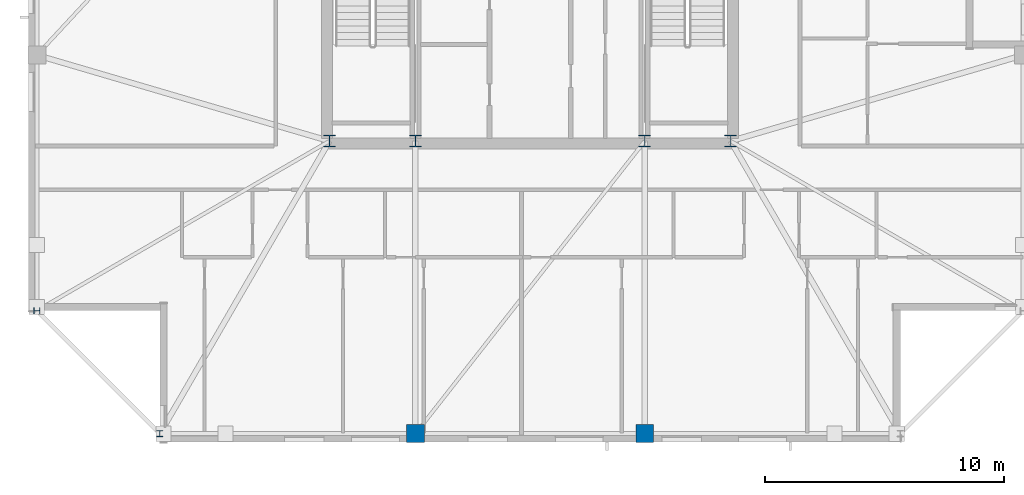
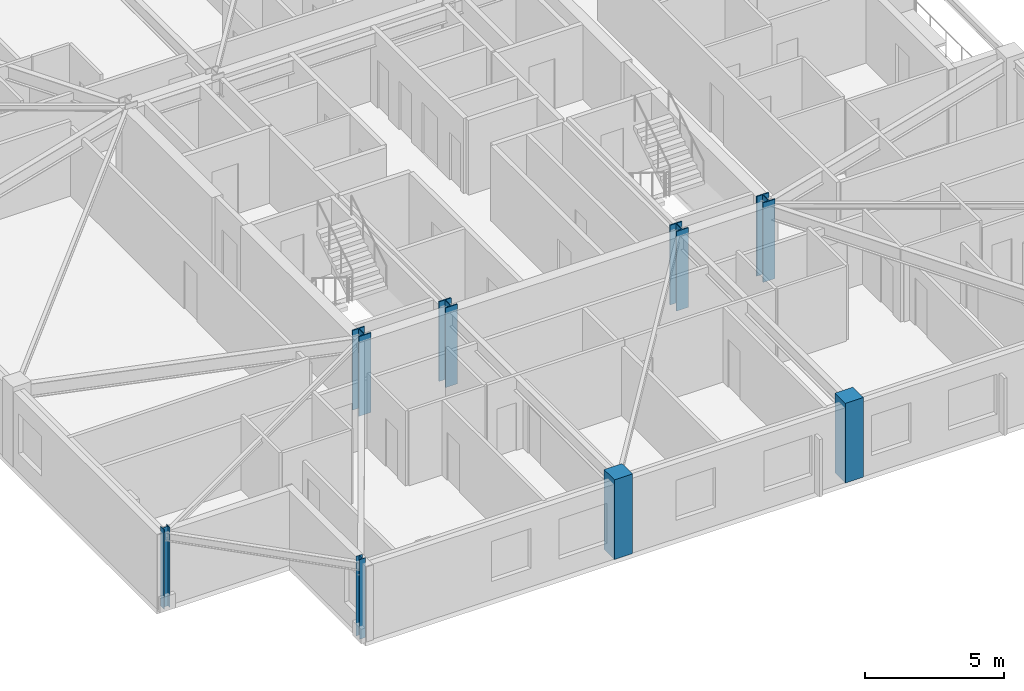
# One storey, part 1 of 14: 8 columns.
"""IFC4 building model written with IfcOpenShell, lengths in metres."""

import ifcopenshell
import ifcopenshell.guid

model = None  # the IFC model being written
_history = None  # IfcOwnerHistory: only IFC2X3 demands one
_inside = {}  # id of a spatial element -> (the spatial element, [elements in it])
_under = {}  # id of a project, library or spatial element -> (it, [spatial elements below it])
_declared = {}  # id of a project -> (the project, [libraries it declares])
_typed = {}  # id of a type object -> (the type object, [elements of that type])
_made_of = {}  # id of a material, layer set ... -> (it, [elements and type objects made of it])


def new_model(schema):
    """Start an empty IFC model of exactly this schema.

    Asked for "IFC4X3", IfcOpenShell would pick the latest addendum, in which some entities
    have other attributes; the version numbers below select the first issue.
    IFC2X3 requires an IfcOwnerHistory on every rooted entity: one is made here for all.
    """
    global model, _history
    if schema == "IFC4X3":
        model = ifcopenshell.file(schema_version=(4, 3, 0, 0))
    else:
        model = ifcopenshell.file(schema=schema)
    _inside.clear()
    _under.clear()
    _declared.clear()
    _typed.clear()
    _made_of.clear()
    _history = None
    if model.schema == "IFC2X3":
        org = make("IfcOrganization", Name="unknown")
        user = make(
            "IfcPersonAndOrganization",
            ThePerson=make("IfcPerson", FamilyName="unknown"),
            TheOrganization=org,
        )
        app = make(
            "IfcApplication",
            ApplicationDeveloper=org,
            Version="unknown",
            ApplicationFullName="unknown",
            ApplicationIdentifier="unknown",
        )
        _history = make(
            "IfcOwnerHistory",
            OwningUser=user,
            OwningApplication=app,
            ChangeAction="ADDED",
            CreationDate=0,
        )
    return model


def make(cls, **values):
    """One entity of the class cls with the attributes given. An attribute that is None is left unset."""
    return model.create_entity(
        cls, **{name: value for name, value in values.items() if value is not None}
    )


def rooted(cls, **values):
    """An entity with a GlobalId (a new one), such as an element, a storey or a relation."""
    return make(cls, GlobalId=ifcopenshell.guid.new(), OwnerHistory=_history, **values)


def si_unit(unit_type, name, prefix=None):
    """IfcSIUnit, for example si_unit("LENGTHUNIT", "METRE", prefix="MILLI")."""
    return make("IfcSIUnit", UnitType=unit_type, Prefix=prefix, Name=name)


def assignment(units):
    """IfcUnitAssignment: the units of a project."""
    return None if units is None else make("IfcUnitAssignment", Units=units)


def point(xyz):
    """IfcCartesianPoint."""
    return None if xyz is None else make("IfcCartesianPoint", Coordinates=xyz)


def direction(xyz):
    """IfcDirection."""
    return None if xyz is None else make("IfcDirection", DirectionRatios=xyz)


def frame(location, z_axis=None, x_axis=None):
    """IfcAxis2Placement3D, a coordinate frame: its origin and axes. An axis left out is left unset."""
    return make(
        "IfcAxis2Placement3D",
        Location=point(location),
        Axis=direction(z_axis),
        RefDirection=direction(x_axis),
    )


def frame_2d(location, x_axis=None):
    """IfcAxis2Placement2D, a coordinate frame in the plane: its origin and x axis."""
    return make(
        "IfcAxis2Placement2D", Location=point(location), RefDirection=direction(x_axis)
    )


def origin():
    """The frame at (0, 0, 0) with its axes left unset."""
    return frame((0.0, 0.0, 0.0))


def origin_2d():
    """The frame at (0, 0) in the plane with its x axis left unset."""
    return frame_2d((0.0, 0.0))


def place(relative_to, where):
    """IfcLocalPlacement: puts the frame where relative to a parent placement (None: the world)."""
    return make(
        "IfcLocalPlacement", PlacementRelTo=relative_to, RelativePlacement=where
    )


def context(
    kind, dimensions, precision=None, world=None, true_north=None, identifier=None
):
    """IfcGeometricRepresentationContext, for example the 3D "Model" context."""
    return make(
        "IfcGeometricRepresentationContext",
        ContextIdentifier=identifier,
        ContextType=kind,
        CoordinateSpaceDimension=dimensions,
        Precision=precision,
        WorldCoordinateSystem=world,
        TrueNorth=true_north,
    )


def subcontext(parent, identifier, kind, view, scale=None):
    """IfcGeometricRepresentationSubContext, for example "Body" below "Model"."""
    return make(
        "IfcGeometricRepresentationSubContext",
        ContextIdentifier=identifier,
        ContextType=kind,
        ParentContext=parent,
        TargetScale=scale,
        TargetView=view,
    )


def project(units=None, contexts=None):
    """IfcProject with its units and contexts."""
    return rooted(
        "IfcProject",
        Name="project",
        RepresentationContexts=contexts,
        UnitsInContext=assignment(units),
    )


def spatial(cls, under=None, at=None, **own):
    """A site, building, storey or space (cls), placed at a placement, below another one or the project."""
    s = rooted(cls, ObjectPlacement=at, **own)
    if under is not None:
        _under.setdefault(under.id(), (under, []))[1].append(s)
    return s


def profile(cls, at=None, kind="AREA", **sizes):
    """A parametric profile (cls). Its sizes go by their IFC names, for example OverallWidth=200.0."""
    return make(cls, ProfileType=kind, Position=at, **sizes)


def rectangle(**sizes):
    """IfcRectangleProfileDef."""
    return profile("IfcRectangleProfileDef", **sizes)


def i_section(**sizes):
    """IfcIShapeProfileDef."""
    return profile("IfcIShapeProfileDef", **sizes)


def extrude(swept, where, along, depth):
    """IfcExtrudedAreaSolid: the profile swept, set in the frame where, extruded along a direction by depth."""
    return make(
        "IfcExtrudedAreaSolid",
        SweptArea=swept,
        Position=where,
        ExtrudedDirection=direction(along),
        Depth=depth,
    )


def shape(context_of_items, identifier, shape_type, items):
    """IfcShapeRepresentation: the items that make up one representation, for example the "Body"."""
    return make(
        "IfcShapeRepresentation",
        ContextOfItems=context_of_items,
        RepresentationIdentifier=identifier,
        RepresentationType=shape_type,
        Items=items,
    )


def material(Name=None, Category=None):
    """IfcMaterial."""
    return make("IfcMaterial", Name=Name, Category=Category)


def material_profile(
    of_material, cross_section, Name=None, Category=None, Priority=None
):
    """IfcMaterialProfile: a cross section and its material."""
    return make(
        "IfcMaterialProfile",
        Name=Name,
        Material=of_material,
        Profile=cross_section,
        Priority=Priority,
        Category=Category,
    )


def profile_set(profiles, Name=None, composite=None):
    """IfcMaterialProfileSet."""
    return make(
        "IfcMaterialProfileSet",
        Name=Name,
        MaterialProfiles=profiles,
        CompositeProfile=composite,
    )


def made_of(thing, what):
    """Note that an element or type object is made of a material, layer set ...; save() writes the relation."""
    if what is not None:
        _made_of.setdefault(what.id(), (what, []))[1].append(thing)
    return thing


def type_object(cls, material=None, **own):
    """A type object (cls), such as IfcWallType, which elements share."""
    return made_of(rooted(cls, **own), material)


def element(
    cls,
    number,
    at=None,
    inside=None,
    cuts=None,
    type_object=None,
    material=None,
    context=None,
    identifier="Body",
    shape_type=None,
    held_by="IfcProductDefinitionShape",
    body=None,
    shapes=None,
    **own,
):
    """One element of the class cls, such as IfcWall. Its Tag is "e" and its number.

    at: its placement. inside: the storey or other place that contains it. cuts: it is an
    opening in that element (IfcRelVoidsElement). A single representation is given by context,
    identifier, shape_type and body (its items); several are given by shapes. held_by: the class
    of the entity that holds the representations. save() writes the other relations.
    """
    e = rooted(cls, Tag="e%d" % number, ObjectPlacement=at, **own)
    if body is not None:
        shapes = [shape(context, identifier, shape_type, body)]
    if shapes is not None:
        e.Representation = make(held_by, Representations=shapes)
    if inside is not None:
        _inside.setdefault(inside.id(), (inside, []))[1].append(e)
    if cuts is not None:
        rooted(
            "IfcRelVoidsElement", RelatingBuildingElement=cuts, RelatedOpeningElement=e
        )
    if type_object is not None:
        _typed.setdefault(type_object.id(), (type_object, []))[1].append(e)
    return made_of(e, material)


def aggregate(whole, parts):
    """IfcRelAggregates: a whole, such as a stair, and the parts it consists of."""
    return rooted("IfcRelAggregates", RelatingObject=whole, RelatedObjects=parts)


def save(model, path):
    """Write the relations noted so far, then the file.

    IfcRelAggregates (storeys below a building ...), IfcRelContainedInSpatialStructure (elements
    in a storey), IfcRelDefinesByType, IfcRelAssociatesMaterial and IfcRelDeclares: one each for
    every whole, place, type object, material and project.
    """
    for whole, parts in _under.values():
        aggregate(whole, parts)
    for where, things in _inside.values():
        rooted(
            "IfcRelContainedInSpatialStructure",
            RelatedElements=things,
            RelatingStructure=where,
        )
    for kind, things in _typed.values():
        rooted("IfcRelDefinesByType", RelatedObjects=things, RelatingType=kind)
    for what, things in _made_of.values():
        rooted("IfcRelAssociatesMaterial", RelatedObjects=things, RelatingMaterial=what)
    for by, libraries in _declared.values():
        rooted("IfcRelDeclares", RelatingContext=by, RelatedDefinitions=libraries)
    model.write(path)


model = new_model("IFC4")

# Units and contexts
model_context = context("Model", 3, precision=1e-05, world=origin(), true_north=direction((0.0, 1.0)))
body_context = subcontext(model_context, "Body", "Model", "MODEL_VIEW")
ifc_project = project(units=[si_unit("LENGTHUNIT", "METRE"), si_unit("AREAUNIT", "SQUARE_METRE"), si_unit("VOLUMEUNIT", "CUBIC_METRE"), si_unit("PLANEANGLEUNIT", "RADIAN"), si_unit("MASSUNIT", "GRAM", prefix="KILO")], contexts=[model_context])

# Site, building, storey
site_placement = place(None, origin())
site = spatial("IfcSite", under=ifc_project, at=site_placement, CompositionType="ELEMENT")
building_placement = place(site_placement, origin())
building = spatial("IfcBuilding", under=site, at=building_placement, Name="Cairnveth Concourse Tower", CompositionType="ELEMENT")
storey_placement = place(building_placement, frame((0.0, 0.0, 301.5)))
storey = spatial("IfcBuildingStorey", under=building, at=storey_placement, Name="L83", CompositionType="ELEMENT", Elevation=301.5)

# Columns
ifc_material_1 = material(Name="Concrete N50 (50 MPa)", Category="concrete")
ifc_material_profile_1 = material_profile(ifc_material_1, rectangle(XDim=0.75, YDim=0.75, at=origin_2d()), Name="RC-COL-750x750")
ifc_profile_set_1 = profile_set([ifc_material_profile_1], Name="Concrete N50 (50 MPa)")
column_type_1 = type_object("IfcColumnType", Name="PERIMETER PIER COLUMN 750X750", PredefinedType="COLUMN", material=ifc_profile_set_1)
for number, where, z_axis, x_axis, name in (
    (1, (47.199951171875, 18.35009765625, 0.0), (0.0, 0.0, 1.0), (1.0, 0.0, 0.0), "Column P-S2 L83"),
    (2, (56.800048828125, 18.35009765625, 0.0), (0.0, 0.0, 1.0), (1.0, 0.0, 0.0), "Column P-S3 L83"),
):
    element("IfcColumn", number, at=place(storey_placement, frame(where, z_axis=z_axis, x_axis=x_axis)), inside=storey, type_object=column_type_1, Name=name, PredefinedType="COLUMN", context=body_context, shape_type="SweptSolid", body=[
        extrude(rectangle(XDim=0.75, YDim=0.75, at=origin_2d()), origin(), (0.0, 0.0, 1.0), 3.5),
    ])
ifc_material_2 = material(Name="Steel Grade 350", Category="steel")
ifc_material_profile_2 = material_profile(ifc_material_2, i_section(OverallWidth=0.25390625, OverallDepth=0.25390625, WebThickness=0.008544921875, FlangeThickness=0.01416015625, FilletRadius=0.012939453125, at=origin_2d()), Name="250UC72.9")
ifc_profile_set_2 = profile_set([ifc_material_profile_2], Name="Steel Grade 350")
column_type_2 = type_object("IfcColumnType", Name="UNIVERSAL STEEL COLUMN 250UC72.9", PredefinedType="COLUMN", material=ifc_profile_set_2)
for number, where, z_axis, x_axis, name in (
    (3, (36.5, 18.35009765625, 0.0), (0.0, 0.0, 1.0), (1.0, 0.0, 0.0), "Column P-S1 L83"),
    (4, (31.35009765625, 23.5, 0.0), (0.0, 0.0, 1.0), (0.0, 1.0, 0.0), "Column P-W4 L83"),
):
    element("IfcColumn", number, at=place(storey_placement, frame(where, z_axis=z_axis, x_axis=x_axis)), inside=storey, type_object=column_type_2, Name=name, PredefinedType="COLUMN", context=body_context, shape_type="SweptSolid", body=[
        extrude(i_section(OverallWidth=0.25390625, OverallDepth=0.25390625, WebThickness=0.008544921875, FlangeThickness=0.01416015625, FilletRadius=0.012939453125, at=origin_2d()), origin(), (0.0, 0.0, 1.0), 3.5),
    ])
ifc_material_profile_3 = material_profile(ifc_material_2, i_section(OverallWidth=0.5, OverallDepth=0.5, WebThickness=0.028076171875, FlangeThickness=0.044921875, at=origin_2d()), Name="500WC383")
ifc_profile_set_3 = profile_set([ifc_material_profile_3], Name="Steel Grade 350")
column_type_3 = type_object("IfcColumnType", Name="WELDED STEEL COLUMN 500WC383", PredefinedType="COLUMN", material=ifc_profile_set_3)
for number, where, z_axis, x_axis, name in (
    (5, (43.60009765625, 30.60009765625, 0.0), (0.0, 0.0, 1.0), (1.0, 0.0, 0.0), "Column CC1 L83"),
    (6, (47.199951171875, 30.60009765625, 0.0), (0.0, 0.0, 1.0), (1.0, 0.0, 0.0), "Column CC2 L83"),
    (7, (56.800048828125, 30.60009765625, 0.0), (0.0, 0.0, 1.0), (1.0, 0.0, 0.0), "Column CC3 L83"),
    (8, (60.39990234375, 30.60009765625, 0.0), (0.0, 0.0, 1.0), (1.0, 0.0, 0.0), "Column CC4 L83"),
):
    element("IfcColumn", number, at=place(storey_placement, frame(where, z_axis=z_axis, x_axis=x_axis)), inside=storey, type_object=column_type_3, Name=name, PredefinedType="COLUMN", context=body_context, shape_type="SweptSolid", body=[
        extrude(i_section(OverallWidth=0.5, OverallDepth=0.5, WebThickness=0.028076171875, FlangeThickness=0.044921875, at=origin_2d()), origin(), (0.0, 0.0, 1.0), 3.5),
    ])

save(model, "model.ifc")
